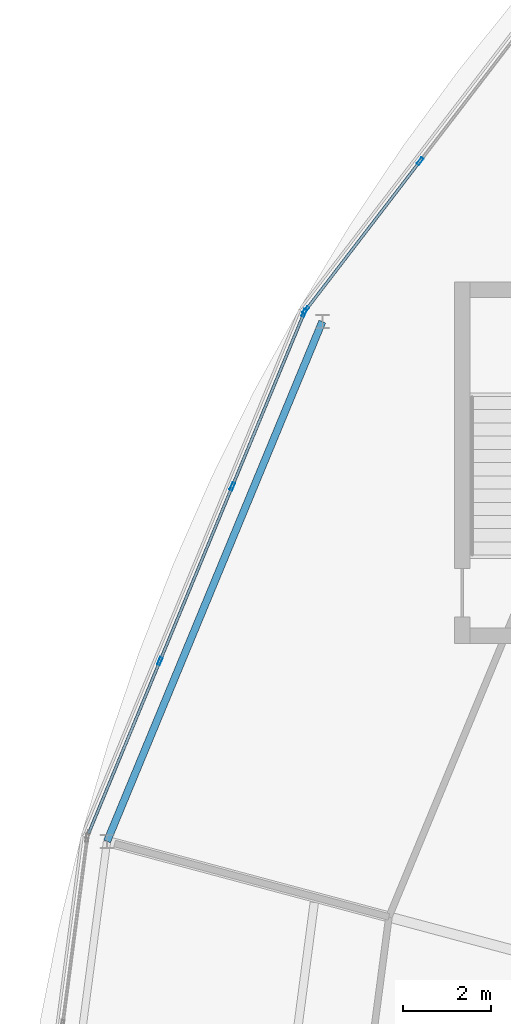
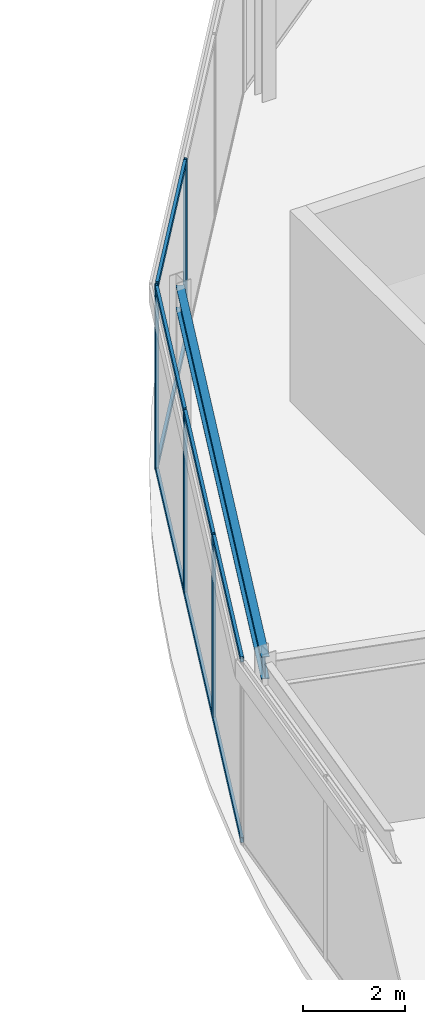
# One storey, part 36 of 116: 13 members, 1 beam, 2 elements without a shape of their own.
"""IFC4 building model written with IfcOpenShell, lengths in metres."""

import ifcopenshell
import ifcopenshell.guid

model = None  # the IFC model being written
_history = None  # IfcOwnerHistory: only IFC2X3 demands one
_inside = {}  # id of a spatial element -> (the spatial element, [elements in it])
_under = {}  # id of a project, library or spatial element -> (it, [spatial elements below it])
_declared = {}  # id of a project -> (the project, [libraries it declares])
_typed = {}  # id of a type object -> (the type object, [elements of that type])
_made_of = {}  # id of a material, layer set ... -> (it, [elements and type objects made of it])


def new_model(schema):
    """Start an empty IFC model of exactly this schema.

    Asked for "IFC4X3", IfcOpenShell would pick the latest addendum, in which some entities
    have other attributes; the version numbers below select the first issue.
    IFC2X3 requires an IfcOwnerHistory on every rooted entity: one is made here for all.
    """
    global model, _history
    if schema == "IFC4X3":
        model = ifcopenshell.file(schema_version=(4, 3, 0, 0))
    else:
        model = ifcopenshell.file(schema=schema)
    _inside.clear()
    _under.clear()
    _declared.clear()
    _typed.clear()
    _made_of.clear()
    _history = None
    if model.schema == "IFC2X3":
        org = make("IfcOrganization", Name="unknown")
        user = make(
            "IfcPersonAndOrganization",
            ThePerson=make("IfcPerson", FamilyName="unknown"),
            TheOrganization=org,
        )
        app = make(
            "IfcApplication",
            ApplicationDeveloper=org,
            Version="unknown",
            ApplicationFullName="unknown",
            ApplicationIdentifier="unknown",
        )
        _history = make(
            "IfcOwnerHistory",
            OwningUser=user,
            OwningApplication=app,
            ChangeAction="ADDED",
            CreationDate=0,
        )
    return model


def make(cls, **values):
    """One entity of the class cls with the attributes given. An attribute that is None is left unset."""
    return model.create_entity(
        cls, **{name: value for name, value in values.items() if value is not None}
    )


def rooted(cls, **values):
    """An entity with a GlobalId (a new one), such as an element, a storey or a relation."""
    return make(cls, GlobalId=ifcopenshell.guid.new(), OwnerHistory=_history, **values)


def si_unit(unit_type, name, prefix=None):
    """IfcSIUnit, for example si_unit("LENGTHUNIT", "METRE", prefix="MILLI")."""
    return make("IfcSIUnit", UnitType=unit_type, Prefix=prefix, Name=name)


def assignment(units):
    """IfcUnitAssignment: the units of a project."""
    return None if units is None else make("IfcUnitAssignment", Units=units)


def point(xyz):
    """IfcCartesianPoint."""
    return None if xyz is None else make("IfcCartesianPoint", Coordinates=xyz)


def direction(xyz):
    """IfcDirection."""
    return None if xyz is None else make("IfcDirection", DirectionRatios=xyz)


def frame(location, z_axis=None, x_axis=None):
    """IfcAxis2Placement3D, a coordinate frame: its origin and axes. An axis left out is left unset."""
    return make(
        "IfcAxis2Placement3D",
        Location=point(location),
        Axis=direction(z_axis),
        RefDirection=direction(x_axis),
    )


def frame_2d(location, x_axis=None):
    """IfcAxis2Placement2D, a coordinate frame in the plane: its origin and x axis."""
    return make(
        "IfcAxis2Placement2D", Location=point(location), RefDirection=direction(x_axis)
    )


def origin():
    """The frame at (0, 0, 0) with its axes left unset."""
    return frame((0.0, 0.0, 0.0))


def origin_2d():
    """The frame at (0, 0) in the plane with its x axis left unset."""
    return frame_2d((0.0, 0.0))


def place(relative_to, where):
    """IfcLocalPlacement: puts the frame where relative to a parent placement (None: the world)."""
    return make(
        "IfcLocalPlacement", PlacementRelTo=relative_to, RelativePlacement=where
    )


def context(
    kind, dimensions, precision=None, world=None, true_north=None, identifier=None
):
    """IfcGeometricRepresentationContext, for example the 3D "Model" context."""
    return make(
        "IfcGeometricRepresentationContext",
        ContextIdentifier=identifier,
        ContextType=kind,
        CoordinateSpaceDimension=dimensions,
        Precision=precision,
        WorldCoordinateSystem=world,
        TrueNorth=true_north,
    )


def subcontext(parent, identifier, kind, view, scale=None):
    """IfcGeometricRepresentationSubContext, for example "Body" below "Model"."""
    return make(
        "IfcGeometricRepresentationSubContext",
        ContextIdentifier=identifier,
        ContextType=kind,
        ParentContext=parent,
        TargetScale=scale,
        TargetView=view,
    )


def project(units=None, contexts=None):
    """IfcProject with its units and contexts."""
    return rooted(
        "IfcProject",
        Name="project",
        RepresentationContexts=contexts,
        UnitsInContext=assignment(units),
    )


def spatial(cls, under=None, at=None, **own):
    """A site, building, storey or space (cls), placed at a placement, below another one or the project."""
    s = rooted(cls, ObjectPlacement=at, **own)
    if under is not None:
        _under.setdefault(under.id(), (under, []))[1].append(s)
    return s


def profile(cls, at=None, kind="AREA", **sizes):
    """A parametric profile (cls). Its sizes go by their IFC names, for example OverallWidth=200.0."""
    return make(cls, ProfileType=kind, Position=at, **sizes)


def hollow_rectangle(**sizes):
    """IfcRectangleHollowProfileDef."""
    return profile("IfcRectangleHollowProfileDef", **sizes)


def i_section(**sizes):
    """IfcIShapeProfileDef."""
    return profile("IfcIShapeProfileDef", **sizes)


def extrude(swept, where, along, depth):
    """IfcExtrudedAreaSolid: the profile swept, set in the frame where, extruded along a direction by depth."""
    return make(
        "IfcExtrudedAreaSolid",
        SweptArea=swept,
        Position=where,
        ExtrudedDirection=direction(along),
        Depth=depth,
    )


def shape(context_of_items, identifier, shape_type, items):
    """IfcShapeRepresentation: the items that make up one representation, for example the "Body"."""
    return make(
        "IfcShapeRepresentation",
        ContextOfItems=context_of_items,
        RepresentationIdentifier=identifier,
        RepresentationType=shape_type,
        Items=items,
    )


def material(Name=None, Category=None):
    """IfcMaterial."""
    return make("IfcMaterial", Name=Name, Category=Category)


def material_profile(
    of_material, cross_section, Name=None, Category=None, Priority=None
):
    """IfcMaterialProfile: a cross section and its material."""
    return make(
        "IfcMaterialProfile",
        Name=Name,
        Material=of_material,
        Profile=cross_section,
        Priority=Priority,
        Category=Category,
    )


def profile_set(profiles, Name=None, composite=None):
    """IfcMaterialProfileSet."""
    return make(
        "IfcMaterialProfileSet",
        Name=Name,
        MaterialProfiles=profiles,
        CompositeProfile=composite,
    )


def made_of(thing, what):
    """Note that an element or type object is made of a material, layer set ...; save() writes the relation."""
    if what is not None:
        _made_of.setdefault(what.id(), (what, []))[1].append(thing)
    return thing


def type_object(cls, material=None, **own):
    """A type object (cls), such as IfcWallType, which elements share."""
    return made_of(rooted(cls, **own), material)


def element(
    cls,
    number,
    at=None,
    inside=None,
    cuts=None,
    type_object=None,
    material=None,
    context=None,
    identifier="Body",
    shape_type=None,
    held_by="IfcProductDefinitionShape",
    body=None,
    shapes=None,
    **own,
):
    """One element of the class cls, such as IfcWall. Its Tag is "e" and its number.

    at: its placement. inside: the storey or other place that contains it. cuts: it is an
    opening in that element (IfcRelVoidsElement). A single representation is given by context,
    identifier, shape_type and body (its items); several are given by shapes. held_by: the class
    of the entity that holds the representations. save() writes the other relations.
    """
    e = rooted(cls, Tag="e%d" % number, ObjectPlacement=at, **own)
    if body is not None:
        shapes = [shape(context, identifier, shape_type, body)]
    if shapes is not None:
        e.Representation = make(held_by, Representations=shapes)
    if inside is not None:
        _inside.setdefault(inside.id(), (inside, []))[1].append(e)
    if cuts is not None:
        rooted(
            "IfcRelVoidsElement", RelatingBuildingElement=cuts, RelatedOpeningElement=e
        )
    if type_object is not None:
        _typed.setdefault(type_object.id(), (type_object, []))[1].append(e)
    return made_of(e, material)


def aggregate(whole, parts):
    """IfcRelAggregates: a whole, such as a stair, and the parts it consists of."""
    return rooted("IfcRelAggregates", RelatingObject=whole, RelatedObjects=parts)


def save(model, path):
    """Write the relations noted so far, then the file.

    IfcRelAggregates (storeys below a building ...), IfcRelContainedInSpatialStructure (elements
    in a storey), IfcRelDefinesByType, IfcRelAssociatesMaterial and IfcRelDeclares: one each for
    every whole, place, type object, material and project.
    """
    for whole, parts in _under.values():
        aggregate(whole, parts)
    for where, things in _inside.values():
        rooted(
            "IfcRelContainedInSpatialStructure",
            RelatedElements=things,
            RelatingStructure=where,
        )
    for kind, things in _typed.values():
        rooted("IfcRelDefinesByType", RelatedObjects=things, RelatingType=kind)
    for what, things in _made_of.values():
        rooted("IfcRelAssociatesMaterial", RelatedObjects=things, RelatingMaterial=what)
    for by, libraries in _declared.values():
        rooted("IfcRelDeclares", RelatingContext=by, RelatedDefinitions=libraries)
    model.write(path)


model = new_model("IFC4")

# Units and contexts
model_context = context("Model", 3, precision=1e-05, world=origin(), true_north=direction((0.0, 1.0)))
body_context = subcontext(model_context, "Body", "Model", "MODEL_VIEW")
ifc_project = project(units=[si_unit("LENGTHUNIT", "METRE"), si_unit("AREAUNIT", "SQUARE_METRE"), si_unit("VOLUMEUNIT", "CUBIC_METRE"), si_unit("PLANEANGLEUNIT", "RADIAN"), si_unit("MASSUNIT", "GRAM", prefix="KILO")], contexts=[model_context])

# Site, building, storey
site_placement = place(None, origin())
site = spatial("IfcSite", under=ifc_project, at=site_placement, CompositionType="ELEMENT")
building_placement = place(site_placement, origin())
building = spatial("IfcBuilding", under=site, at=building_placement, Name="Almandine Court Research Institute", CompositionType="ELEMENT")
storey_placement = place(building_placement, frame((0.0, 0.0, 14.35009765625)))
storey = spatial("IfcBuildingStorey", under=building, at=storey_placement, Name="L03", CompositionType="ELEMENT", Elevation=14.35009765625)

# Beam
ifc_material_1 = material(Name="Steel ASTM A992 Grade 50", Category="steel")
ifc_material_profile_1 = material_profile(ifc_material_1, i_section(OverallWidth=0.166015625, OverallDepth=0.534912109375, WebThickness=0.010009765625, FlangeThickness=0.01708984375, at=origin_2d()), Name="W530x85")
ifc_profile_set_1 = profile_set([ifc_material_profile_1], Name="Steel ASTM A992 Grade 50")
beam_type = type_object("IfcBeamType", Name="Beam-G-05-E", PredefinedType="SPANDREL", material=ifc_profile_set_1)
beam_placement = place(storey_placement, frame((44.65087890625, 80.449951171875, 4.102783203125), z_axis=(-0.382653578879, -0.923891897665, 0.0), x_axis=(0.923891897665, -0.382653578879, 0.0)))
element("IfcBeam", 1, at=beam_placement, inside=storey, type_object=beam_type, Name="L03 Drum OUT Ring Beam 10", PredefinedType="SPANDREL", context=body_context, shape_type="SweptSolid", body=[
    extrude(i_section(OverallWidth=0.166015625, OverallDepth=0.534912109375, WebThickness=0.010009765625, FlangeThickness=0.01708984375, at=origin_2d()), origin(), (0.0, 0.0, 1.0), 12.765625),
])

# Curtain wall, members
ifc_material_2 = material(Name="Unitised Curtain Wall Framing and Solar Glazing", Category="glass")
curtain_wall_type = type_object("IfcCurtainWallType", Name="CW-CWJ-19", PredefinedType="USERDEFINED", material=ifc_material_2)
curtain_wall_1_placement = place(storey_placement, origin())
curtain_wall_1 = element("IfcCurtainWall", 2, at=curtain_wall_1_placement, inside=storey, type_object=curtain_wall_type, Name="L03 Stacked-Ring Drum Outer Solar Jali Screen 09", ObjectType="SOLAR JALI SCREEN", PredefinedType="USERDEFINED")
ifc_material_3 = material(Name="Anodised Aluminium AW-6063-T6", Category="aluminium")
ifc_material_profile_2 = material_profile(ifc_material_3, hollow_rectangle(XDim=0.06494140625, YDim=0.179931640625, WallThickness=0.00390625, at=origin_2d()), Name="ALU RHS 65x180x4")
ifc_profile_set_2 = profile_set([ifc_material_profile_2], Name="Anodised Aluminium AW-6063-T6")
member_type_1 = type_object("IfcMemberType", Name="CWMul-65x180", PredefinedType="MULLION", material=ifc_profile_set_2)
member_1_placement = place(storey_placement, frame((44.27490234375, 80.708740234375, 0.0), z_axis=(0.0, 0.0, 1.0), x_axis=(-0.793382586046, 0.608723313303, 0.0)))
member_1 = element("IfcMember", 3, at=member_1_placement, type_object=member_type_1, Name="CWJ-19 mullion 1", PredefinedType="MULLION", context=body_context, shape_type="SweptSolid", body=[
    extrude(hollow_rectangle(XDim=0.06494140625, YDim=0.179931640625, WallThickness=0.00390625, at=origin_2d()), origin(), (0.0, 0.0, 1.0), 4.369873046875),
])
member_2_placement = place(storey_placement, frame((46.867919921875, 84.088623046875, 0.0), z_axis=(0.0, 0.0, 1.0), x_axis=(-0.793382586046, 0.608723313303, 0.0)))
member_2 = element("IfcMember", 4, at=member_2_placement, type_object=member_type_1, Name="CWJ-19 mullion 2", PredefinedType="MULLION", context=body_context, shape_type="SweptSolid", body=[
    extrude(hollow_rectangle(XDim=0.06494140625, YDim=0.179931640625, WallThickness=0.00390625, at=origin_2d()), origin(), (0.0, 0.0, 1.0), 4.369873046875),
])

curtain_wall_2_placement = place(storey_placement, origin())
curtain_wall_2 = element("IfcCurtainWall", 5, at=curtain_wall_2_placement, inside=storey, type_object=curtain_wall_type, Name="L03 Stacked-Ring Drum Outer Solar Jali Screen 10", ObjectType="SOLAR JALI SCREEN", PredefinedType="USERDEFINED")
member_3_placement = place(storey_placement, frame((40.965576171875, 72.7451171875, 0.0), z_axis=(0.0, 0.0, 1.0), x_axis=(-0.923888124321, 0.382662689242, 0.0)))
member_3 = element("IfcMember", 6, at=member_3_placement, type_object=member_type_1, Name="CWJ-19 mullion 2", PredefinedType="MULLION", context=body_context, shape_type="SweptSolid", body=[
    extrude(hollow_rectangle(XDim=0.06494140625, YDim=0.179931640625, WallThickness=0.00390625, at=origin_2d()), origin(), (0.0, 0.0, 1.0), 4.369873046875),
])
member_4_placement = place(storey_placement, frame((42.6083984375, 76.7109375, 0.0), z_axis=(0.0, 0.0, 1.0), x_axis=(-0.923888124321, 0.382662689242, 0.0)))
member_4 = element("IfcMember", 7, at=member_4_placement, type_object=member_type_1, Name="CWJ-19 mullion 3", PredefinedType="MULLION", context=body_context, shape_type="SweptSolid", body=[
    extrude(hollow_rectangle(XDim=0.06494140625, YDim=0.179931640625, WallThickness=0.00390625, at=origin_2d()), origin(), (0.0, 0.0, 1.0), 4.369873046875),
])
member_5_placement = place(storey_placement, frame((44.238525390625, 80.64697265625, 0.0), z_axis=(0.0, 0.0, 1.0), x_axis=(-0.923888124321, 0.382662689242, 0.0)))
member_5 = element("IfcMember", 8, at=member_5_placement, type_object=member_type_1, Name="CWJ-19 mullion 4", PredefinedType="MULLION", context=body_context, shape_type="SweptSolid", body=[
    extrude(hollow_rectangle(XDim=0.06494140625, YDim=0.179931640625, WallThickness=0.00390625, at=origin_2d()), origin(), (0.0, 0.0, 1.0), 4.369873046875),
])

# Member
ifc_material_profile_3 = material_profile(ifc_material_3, hollow_rectangle(XDim=0.06494140625, YDim=0.1298828125, WallThickness=0.00390625, at=origin_2d()), Name="ALU RHS 65x130x4")
ifc_profile_set_3 = profile_set([ifc_material_profile_3], Name="Anodised Aluminium AW-6063-T6")
member_type_2 = type_object("IfcMemberType", Name="CWTrn-65x130", PredefinedType="NOTDEFINED", material=ifc_profile_set_3)
member_6_placement = place(storey_placement, frame((44.294677734375, 80.734619140625, 0.032470703125), z_axis=(0.608689308041, 0.793408675449, 0.0), x_axis=(-0.793408675449, 0.608689308041, 0.0)))
member_6 = element("IfcMember", 9, at=member_6_placement, type_object=member_type_2, Name="CWJ-19 transom 1.1", ObjectType="TRANSOM", PredefinedType="USERDEFINED", context=body_context, shape_type="SweptSolid", body=[
    extrude(hollow_rectangle(XDim=0.06494140625, YDim=0.1298828125, WallThickness=0.00390625, at=origin_2d()), origin(), (0.0, 0.0, 1.0), 4.195068359375),
])

member_7_placement = place(storey_placement, frame((44.294677734375, 80.734619140625, 4.33740234375), z_axis=(0.608689308041, 0.793408675449, 0.0), x_axis=(-0.793408675449, 0.608689308041, 0.0)))
member_7 = element("IfcMember", 10, at=member_7_placement, type_object=member_type_2, Name="CWJ-19 transom 1.2", ObjectType="TRANSOM", PredefinedType="USERDEFINED", context=body_context, shape_type="SweptSolid", body=[
    extrude(hollow_rectangle(XDim=0.06494140625, YDim=0.1298828125, WallThickness=0.00390625, at=origin_2d()), origin(), (0.0, 0.0, 1.0), 4.195068359375),
])

aggregate(curtain_wall_1, [member_1, member_2, member_6, member_7])

member_8_placement = place(storey_placement, frame((39.347900390625, 68.839111328125, 0.032470703125), z_axis=(0.382631051398, 0.923901227679, 0.0), x_axis=(-0.923901227679, 0.382631051398, 0.0)))
member_8 = element("IfcMember", 11, at=member_8_placement, type_object=member_type_2, Name="CWJ-19 transom 1.1", ObjectType="TRANSOM", PredefinedType="USERDEFINED", context=body_context, shape_type="SweptSolid", body=[
    extrude(hollow_rectangle(XDim=0.06494140625, YDim=0.1298828125, WallThickness=0.00390625, at=origin_2d()), origin(), (0.0, 0.0, 1.0), 4.1953125),
])

member_9_placement = place(storey_placement, frame((39.347900390625, 68.839111328125, 4.33740234375), z_axis=(0.382631051398, 0.923901227679, 0.0), x_axis=(-0.923901227679, 0.382631051398, 0.0)))
member_9 = element("IfcMember", 12, at=member_9_placement, type_object=member_type_2, Name="CWJ-19 transom 1.2", ObjectType="TRANSOM", PredefinedType="USERDEFINED", context=body_context, shape_type="SweptSolid", body=[
    extrude(hollow_rectangle(XDim=0.06494140625, YDim=0.1298828125, WallThickness=0.00390625, at=origin_2d()), origin(), (0.0, 0.0, 1.0), 4.1953125),
])

member_10_placement = place(storey_placement, frame((40.97802734375, 72.775146484375, 0.032470703125), z_axis=(0.382703712437, 0.92387113197, 0.0), x_axis=(-0.92387113197, 0.382703712437, 0.0)))
member_10 = element("IfcMember", 13, at=member_10_placement, type_object=member_type_2, Name="CWJ-19 transom 2.1", ObjectType="TRANSOM", PredefinedType="USERDEFINED", context=body_context, shape_type="SweptSolid", body=[
    extrude(hollow_rectangle(XDim=0.06494140625, YDim=0.1298828125, WallThickness=0.00390625, at=origin_2d()), origin(), (0.0, 0.0, 1.0), 4.2275390625),
])

member_11_placement = place(storey_placement, frame((40.97802734375, 72.775146484375, 4.33740234375), z_axis=(0.382703712437, 0.92387113197, 0.0), x_axis=(-0.92387113197, 0.382703712437, 0.0)))
member_11 = element("IfcMember", 14, at=member_11_placement, type_object=member_type_2, Name="CWJ-19 transom 2.2", ObjectType="TRANSOM", PredefinedType="USERDEFINED", context=body_context, shape_type="SweptSolid", body=[
    extrude(hollow_rectangle(XDim=0.06494140625, YDim=0.1298828125, WallThickness=0.00390625, at=origin_2d()), origin(), (0.0, 0.0, 1.0), 4.2275390625),
])

member_12_placement = place(storey_placement, frame((42.620849609375, 76.740966796875, 0.032470703125), z_axis=(0.382631051398, 0.923901227679, 0.0), x_axis=(-0.923901227679, 0.382631051398, 0.0)))
member_12 = element("IfcMember", 15, at=member_12_placement, type_object=member_type_2, Name="CWJ-19 transom 3.1", ObjectType="TRANSOM", PredefinedType="USERDEFINED", context=body_context, shape_type="SweptSolid", body=[
    extrude(hollow_rectangle(XDim=0.06494140625, YDim=0.1298828125, WallThickness=0.00390625, at=origin_2d()), origin(), (0.0, 0.0, 1.0), 4.1953125),
])

member_13_placement = place(storey_placement, frame((42.620849609375, 76.740966796875, 4.33740234375), z_axis=(0.382631051398, 0.923901227679, 0.0), x_axis=(-0.923901227679, 0.382631051398, 0.0)))
member_13 = element("IfcMember", 16, at=member_13_placement, type_object=member_type_2, Name="CWJ-19 transom 3.2", ObjectType="TRANSOM", PredefinedType="USERDEFINED", context=body_context, shape_type="SweptSolid", body=[
    extrude(hollow_rectangle(XDim=0.06494140625, YDim=0.1298828125, WallThickness=0.00390625, at=origin_2d()), origin(), (0.0, 0.0, 1.0), 4.1953125),
])

aggregate(curtain_wall_2, [member_3, member_4, member_5, member_8, member_9, member_10, member_11, member_12, member_13])

save(model, "model.ifc")
